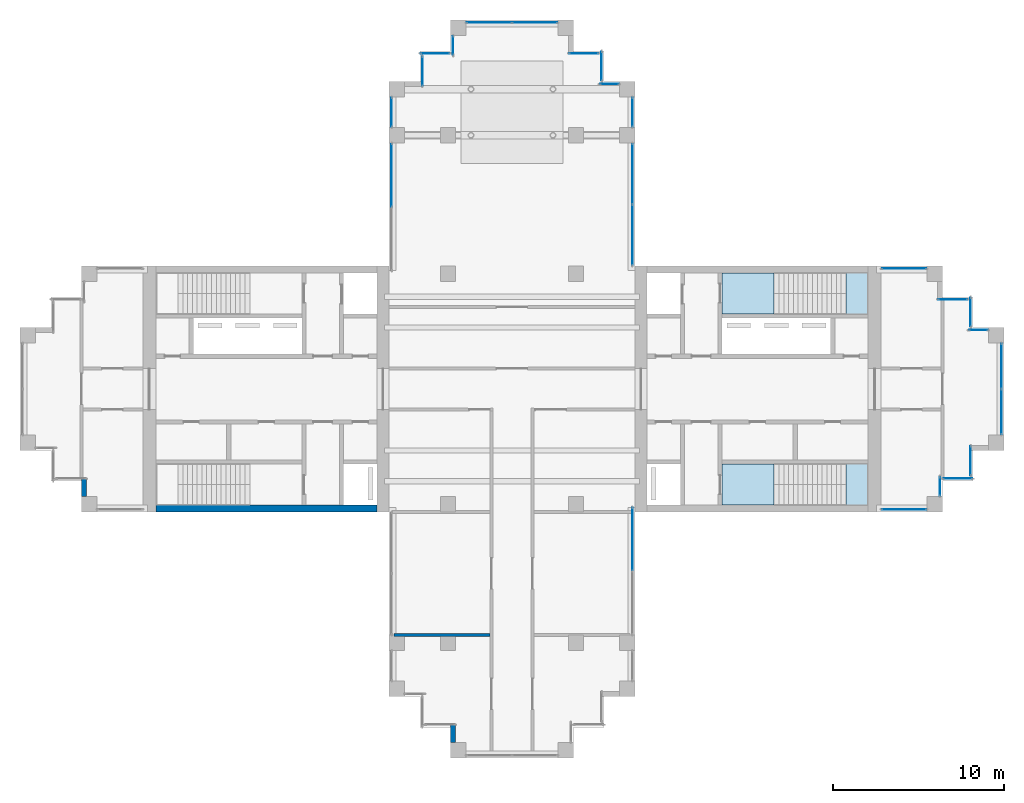
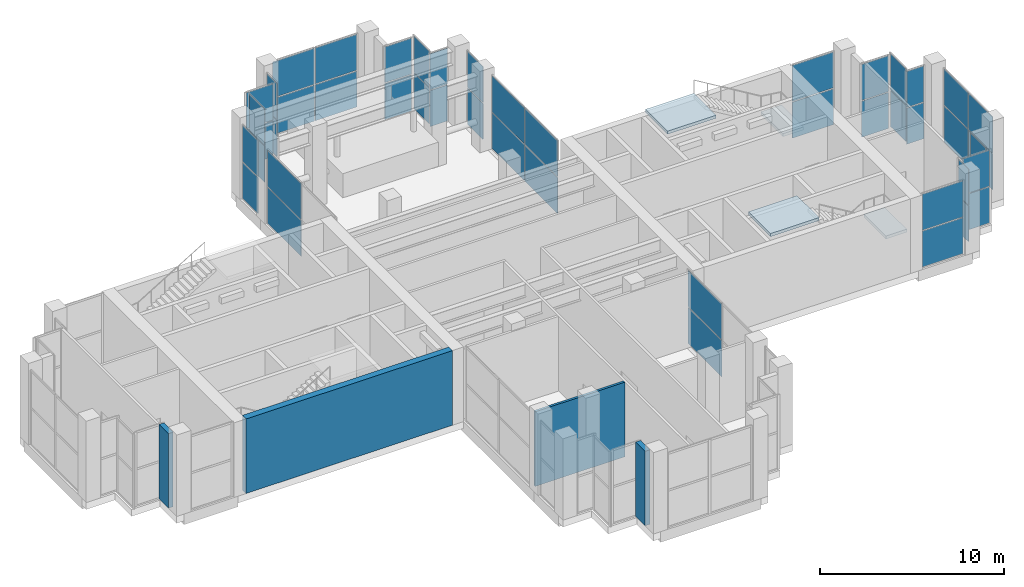
# One storey, part 9 of 13: 48 plates, 4 slabs, 4 walls, 23 elements without a shape of their own.
"""IFC4 building model written with IfcOpenShell, lengths in metres."""

from ifc_helpers import new_model, si_unit, direction, frame, frame_2d, origin, origin_2d, place, context, subcontext, project, spatial, polyline, rectangle, outline, extrude, material, layer, layer_set, type_object, element, aggregate, save


model = new_model("IFC4")

# Units and contexts
model_context = context("Model", 3, precision=1e-05, world=origin(), true_north=direction((0.0, 1.0)))
body_context = subcontext(model_context, "Body", "Model", "MODEL_VIEW")
ifc_project = project(units=[si_unit("LENGTHUNIT", "METRE"), si_unit("AREAUNIT", "SQUARE_METRE"), si_unit("VOLUMEUNIT", "CUBIC_METRE"), si_unit("PLANEANGLEUNIT", "RADIAN"), si_unit("MASSUNIT", "GRAM", prefix="KILO")], contexts=[model_context])

# Site, building, storey
site_placement = place(None, origin())
site = spatial("IfcSite", under=ifc_project, at=site_placement, CompositionType="ELEMENT")
building_placement = place(site_placement, origin())
building = spatial("IfcBuilding", under=site, at=building_placement, Name="Fustian Cross Tower", CompositionType="ELEMENT")
storey_placement = place(building_placement, frame((0.0, 0.0, 242.10009765625)))
storey = spatial("IfcBuildingStorey", under=building, at=storey_placement, Name="L76", CompositionType="ELEMENT", Elevation=242.10009765625)

# Curtain wall, plates
ifc_material_1 = material(Name="Glass", Category="glass")
curtain_wall_type = type_object("IfcCurtainWallType", Name="CW5 CURTAIN WALL", PredefinedType="NOTDEFINED", material=ifc_material_1)
curtain_wall_1_placement = place(storey_placement, origin())
curtain_wall_1 = element("IfcCurtainWall", 1, at=curtain_wall_1_placement, inside=storey, type_object=curtain_wall_type, Name="Curtain wall CW5", PredefinedType="NOTDEFINED")
ifc_material_2 = material(Name="Glass", Category="glass")
ifc_layer_1 = layer(ifc_material_2, 0.028076171875)
ifc_layer_set_1 = layer_set([ifc_layer_1], Name="Glass")
plate_type = type_object("IfcPlateType", Name="CW5 PANEL IGU28", PredefinedType="CURTAIN_PANEL", material=ifc_layer_set_1)
plate_1_placement = place(storey_placement, frame((22.949951171875, -7.050048828125, 0.06005859375), z_axis=(0.0, 0.0, 1.0), x_axis=(1.0, 0.0, 0.0)))
plate_1 = element("IfcPlate", 2, at=plate_1_placement, type_object=plate_type, Name="CW5 panel 1.1", PredefinedType="CURTAIN_PANEL", context=body_context, shape_type="SweptSolid", body=[
    extrude(rectangle(XDim=2.580078125, YDim=0.028076171875, at=origin_2d()), origin(), (0.0, 0.0, 1.0), 2.385009765625),
])
plate_2_placement = place(storey_placement, frame((22.949951171875, -7.050048828125, 2.5048828125), z_axis=(0.0, 0.0, 1.0), x_axis=(1.0, 0.0, 0.0)))
plate_2 = element("IfcPlate", 3, at=plate_2_placement, type_object=plate_type, Name="CW5 panel 1.2", PredefinedType="CURTAIN_PANEL", context=body_context, shape_type="SweptSolid", body=[
    extrude(rectangle(XDim=2.580078125, YDim=0.028076171875, at=origin_2d()), origin(), (0.0, 0.0, 1.0), 2.385009765625),
])
aggregate(curtain_wall_1, [plate_1, plate_2])

curtain_wall_2_placement = place(storey_placement, origin())
curtain_wall_2 = element("IfcCurtainWall", 4, at=curtain_wall_2_placement, inside=storey, type_object=curtain_wall_type, Name="Curtain wall CW5", PredefinedType="NOTDEFINED")
plate_3_placement = place(storey_placement, frame((25.050048828125, -5.699951171875, 0.06005859375), z_axis=(0.0, 0.0, 1.0), x_axis=(0.0, 1.0, 0.0)))
plate_3 = element("IfcPlate", 5, at=plate_3_placement, type_object=plate_type, Name="CW5 panel 1.1", PredefinedType="CURTAIN_PANEL", context=body_context, shape_type="SweptSolid", body=[
    extrude(rectangle(XDim=1.080078125, YDim=0.028076171875, at=origin_2d()), origin(), (0.0, 0.0, 1.0), 2.385009765625),
])
plate_4_placement = place(storey_placement, frame((25.050048828125, -5.699951171875, 2.5048828125), z_axis=(0.0, 0.0, 1.0), x_axis=(0.0, 1.0, 0.0)))
plate_4 = element("IfcPlate", 6, at=plate_4_placement, type_object=plate_type, Name="CW5 panel 1.2", PredefinedType="CURTAIN_PANEL", context=body_context, shape_type="SweptSolid", body=[
    extrude(rectangle(XDim=1.080078125, YDim=0.028076171875, at=origin_2d()), origin(), (0.0, 0.0, 1.0), 2.385009765625),
])
aggregate(curtain_wall_2, [plate_3, plate_4])

curtain_wall_3_placement = place(storey_placement, origin())
curtain_wall_3 = element("IfcCurtainWall", 7, at=curtain_wall_3_placement, inside=storey, type_object=curtain_wall_type, Name="Curtain wall CW5", PredefinedType="NOTDEFINED")
plate_5_placement = place(storey_placement, frame((26.10009765625, -5.25, 0.06005859375), z_axis=(0.0, 0.0, 1.0), x_axis=(1.0, 0.0, 0.0)))
plate_5 = element("IfcPlate", 8, at=plate_5_placement, type_object=plate_type, Name="CW5 panel 1.1", PredefinedType="CURTAIN_PANEL", context=body_context, shape_type="SweptSolid", body=[
    extrude(rectangle(XDim=1.679931640625, YDim=0.028076171875, at=origin_2d()), origin(), (0.0, 0.0, 1.0), 2.385009765625),
])
plate_6_placement = place(storey_placement, frame((26.10009765625, -5.25, 2.5048828125), z_axis=(0.0, 0.0, 1.0), x_axis=(1.0, 0.0, 0.0)))
plate_6 = element("IfcPlate", 9, at=plate_6_placement, type_object=plate_type, Name="CW5 panel 1.2", PredefinedType="CURTAIN_PANEL", context=body_context, shape_type="SweptSolid", body=[
    extrude(rectangle(XDim=1.679931640625, YDim=0.028076171875, at=origin_2d()), origin(), (0.0, 0.0, 1.0), 2.385009765625),
])
aggregate(curtain_wall_3, [plate_5, plate_6])

curtain_wall_4_placement = place(storey_placement, origin())
curtain_wall_4 = element("IfcCurtainWall", 10, at=curtain_wall_4_placement, inside=storey, type_object=curtain_wall_type, Name="Curtain wall CW5", PredefinedType="NOTDEFINED")
plate_7_placement = place(storey_placement, frame((26.85009765625, -4.199951171875, 0.06005859375), z_axis=(0.0, 0.0, 1.0), x_axis=(0.0, 1.0, 0.0)))
plate_7 = element("IfcPlate", 11, at=plate_7_placement, type_object=plate_type, Name="CW5 panel 1.1", PredefinedType="CURTAIN_PANEL", context=body_context, shape_type="SweptSolid", body=[
    extrude(rectangle(XDim=1.679931640625, YDim=0.028076171875, at=origin_2d()), origin(), (0.0, 0.0, 1.0), 2.385009765625),
])
plate_8_placement = place(storey_placement, frame((26.85009765625, -4.199951171875, 2.5048828125), z_axis=(0.0, 0.0, 1.0), x_axis=(0.0, 1.0, 0.0)))
plate_8 = element("IfcPlate", 12, at=plate_8_placement, type_object=plate_type, Name="CW5 panel 1.2", PredefinedType="CURTAIN_PANEL", context=body_context, shape_type="SweptSolid", body=[
    extrude(rectangle(XDim=1.679931640625, YDim=0.028076171875, at=origin_2d()), origin(), (0.0, 0.0, 1.0), 2.385009765625),
])
aggregate(curtain_wall_4, [plate_7, plate_8])

curtain_wall_5_placement = place(storey_placement, origin())
curtain_wall_5 = element("IfcCurtainWall", 13, at=curtain_wall_5_placement, inside=storey, type_object=curtain_wall_type, Name="Curtain wall CW5", PredefinedType="NOTDEFINED")
plate_9_placement = place(storey_placement, frame((28.64990234375, -1.3349609375, 0.06005859375), z_axis=(0.0, 0.0, 1.0), x_axis=(0.0, 1.0, 0.0)))
plate_9 = element("IfcPlate", 14, at=plate_9_placement, type_object=plate_type, Name="CW5 panel 1.1", PredefinedType="CURTAIN_PANEL", context=body_context, shape_type="SweptSolid", body=[
    extrude(rectangle(XDim=2.610107421875, YDim=0.028076171875, at=origin_2d()), origin(), (0.0, 0.0, 1.0), 2.385009765625),
])
plate_10_placement = place(storey_placement, frame((28.64990234375, -1.3349609375, 2.5048828125), z_axis=(0.0, 0.0, 1.0), x_axis=(0.0, 1.0, 0.0)))
plate_10 = element("IfcPlate", 15, at=plate_10_placement, type_object=plate_type, Name="CW5 panel 1.2", PredefinedType="CURTAIN_PANEL", context=body_context, shape_type="SweptSolid", body=[
    extrude(rectangle(XDim=2.610107421875, YDim=0.028076171875, at=origin_2d()), origin(), (0.0, 0.0, 1.0), 2.385009765625),
])
plate_11_placement = place(storey_placement, frame((28.64990234375, 1.3349609375, 0.06005859375), z_axis=(0.0, 0.0, 1.0), x_axis=(0.0, 1.0, 0.0)))
plate_11 = element("IfcPlate", 16, at=plate_11_placement, type_object=plate_type, Name="CW5 panel 2.1", PredefinedType="CURTAIN_PANEL", context=body_context, shape_type="SweptSolid", body=[
    extrude(rectangle(XDim=2.610107421875, YDim=0.028076171875, at=origin_2d()), origin(), (0.0, 0.0, 1.0), 2.385009765625),
])
plate_12_placement = place(storey_placement, frame((28.64990234375, 1.3349609375, 2.5048828125), z_axis=(0.0, 0.0, 1.0), x_axis=(0.0, 1.0, 0.0)))
plate_12 = element("IfcPlate", 17, at=plate_12_placement, type_object=plate_type, Name="CW5 panel 2.2", PredefinedType="CURTAIN_PANEL", context=body_context, shape_type="SweptSolid", body=[
    extrude(rectangle(XDim=2.610107421875, YDim=0.028076171875, at=origin_2d()), origin(), (0.0, 0.0, 1.0), 2.385009765625),
])
aggregate(curtain_wall_5, [plate_9, plate_10, plate_11, plate_12])

curtain_wall_6_placement = place(storey_placement, origin())
curtain_wall_6 = element("IfcCurtainWall", 18, at=curtain_wall_6_placement, inside=storey, type_object=curtain_wall_type, Name="Curtain wall CW5", PredefinedType="NOTDEFINED")
plate_13_placement = place(storey_placement, frame((27.300048828125, 3.449951171875, 0.06005859375), z_axis=(0.0, 0.0, 1.0), x_axis=(-1.0, 0.0, 0.0)))
plate_13 = element("IfcPlate", 19, at=plate_13_placement, type_object=plate_type, Name="CW5 panel 1.1", PredefinedType="CURTAIN_PANEL", context=body_context, shape_type="SweptSolid", body=[
    extrude(rectangle(XDim=1.080078125, YDim=0.028076171875, at=origin_2d()), origin(), (0.0, 0.0, 1.0), 2.385009765625),
])
plate_14_placement = place(storey_placement, frame((27.300048828125, 3.449951171875, 2.5048828125), z_axis=(0.0, 0.0, 1.0), x_axis=(-1.0, 0.0, 0.0)))
plate_14 = element("IfcPlate", 20, at=plate_14_placement, type_object=plate_type, Name="CW5 panel 1.2", PredefinedType="CURTAIN_PANEL", context=body_context, shape_type="SweptSolid", body=[
    extrude(rectangle(XDim=1.080078125, YDim=0.028076171875, at=origin_2d()), origin(), (0.0, 0.0, 1.0), 2.385009765625),
])
aggregate(curtain_wall_6, [plate_13, plate_14])

curtain_wall_7_placement = place(storey_placement, origin())
curtain_wall_7 = element("IfcCurtainWall", 21, at=curtain_wall_7_placement, inside=storey, type_object=curtain_wall_type, Name="Curtain wall CW5", PredefinedType="NOTDEFINED")
plate_15_placement = place(storey_placement, frame((26.85009765625, 4.5, 0.06005859375), z_axis=(0.0, 0.0, 1.0), x_axis=(0.0, 1.0, 0.0)))
plate_15 = element("IfcPlate", 22, at=plate_15_placement, type_object=plate_type, Name="CW5 panel 1.1", PredefinedType="CURTAIN_PANEL", context=body_context, shape_type="SweptSolid", body=[
    extrude(rectangle(XDim=1.679931640625, YDim=0.028076171875, at=origin_2d()), origin(), (0.0, 0.0, 1.0), 2.385009765625),
])
plate_16_placement = place(storey_placement, frame((26.85009765625, 4.5, 2.5048828125), z_axis=(0.0, 0.0, 1.0), x_axis=(0.0, 1.0, 0.0)))
plate_16 = element("IfcPlate", 23, at=plate_16_placement, type_object=plate_type, Name="CW5 panel 1.2", PredefinedType="CURTAIN_PANEL", context=body_context, shape_type="SweptSolid", body=[
    extrude(rectangle(XDim=1.679931640625, YDim=0.028076171875, at=origin_2d()), origin(), (0.0, 0.0, 1.0), 2.385009765625),
])
aggregate(curtain_wall_7, [plate_15, plate_16])

curtain_wall_8_placement = place(storey_placement, origin())
curtain_wall_8 = element("IfcCurtainWall", 24, at=curtain_wall_8_placement, inside=storey, type_object=curtain_wall_type, Name="Curtain wall CW5", PredefinedType="NOTDEFINED")
plate_17_placement = place(storey_placement, frame((25.800048828125, 5.25, 0.06005859375), z_axis=(0.0, 0.0, 1.0), x_axis=(-1.0, 0.0, 0.0)))
plate_17 = element("IfcPlate", 25, at=plate_17_placement, type_object=plate_type, Name="CW5 panel 1.1", PredefinedType="CURTAIN_PANEL", context=body_context, shape_type="SweptSolid", body=[
    extrude(rectangle(XDim=1.679931640625, YDim=0.028076171875, at=origin_2d()), origin(), (0.0, 0.0, 1.0), 2.385009765625),
])
plate_18_placement = place(storey_placement, frame((25.800048828125, 5.25, 2.5048828125), z_axis=(0.0, 0.0, 1.0), x_axis=(-1.0, 0.0, 0.0)))
plate_18 = element("IfcPlate", 26, at=plate_18_placement, type_object=plate_type, Name="CW5 panel 1.2", PredefinedType="CURTAIN_PANEL", context=body_context, shape_type="SweptSolid", body=[
    extrude(rectangle(XDim=1.679931640625, YDim=0.028076171875, at=origin_2d()), origin(), (0.0, 0.0, 1.0), 2.385009765625),
])
aggregate(curtain_wall_8, [plate_17, plate_18])

curtain_wall_9_placement = place(storey_placement, origin())
curtain_wall_9 = element("IfcCurtainWall", 27, at=curtain_wall_9_placement, inside=storey, type_object=curtain_wall_type, Name="Curtain wall CW5", PredefinedType="NOTDEFINED")
plate_19_placement = place(storey_placement, frame((22.949951171875, 7.050048828125, 0.06005859375), z_axis=(0.0, 0.0, 1.0), x_axis=(-1.0, 0.0, 0.0)))
plate_19 = element("IfcPlate", 28, at=plate_19_placement, type_object=plate_type, Name="CW5 panel 1.1", PredefinedType="CURTAIN_PANEL", context=body_context, shape_type="SweptSolid", body=[
    extrude(rectangle(XDim=2.580078125, YDim=0.028076171875, at=origin_2d()), origin(), (0.0, 0.0, 1.0), 2.385009765625),
])
plate_20_placement = place(storey_placement, frame((22.949951171875, 7.050048828125, 2.5048828125), z_axis=(0.0, 0.0, 1.0), x_axis=(-1.0, 0.0, 0.0)))
plate_20 = element("IfcPlate", 29, at=plate_20_placement, type_object=plate_type, Name="CW5 panel 1.2", PredefinedType="CURTAIN_PANEL", context=body_context, shape_type="SweptSolid", body=[
    extrude(rectangle(XDim=2.580078125, YDim=0.028076171875, at=origin_2d()), origin(), (0.0, 0.0, 1.0), 2.385009765625),
])
aggregate(curtain_wall_9, [plate_19, plate_20])

curtain_wall_10_placement = place(storey_placement, origin())
curtain_wall_10 = element("IfcCurtainWall", 30, at=curtain_wall_10_placement, inside=storey, type_object=curtain_wall_type, Name="Curtain wall CW5", PredefinedType="NOTDEFINED")
plate_21_placement = place(storey_placement, frame((7.050048828125, 9.014892578125, 0.06005859375), z_axis=(0.0, 0.0, 1.0), x_axis=(0.0, 1.0, 0.0)))
plate_21 = element("IfcPlate", 31, at=plate_21_placement, type_object=plate_type, Name="CW5 panel 1.1", PredefinedType="CURTAIN_PANEL", context=body_context, shape_type="SweptSolid", body=[
    extrude(rectangle(XDim=3.510009765625, YDim=0.028076171875, at=origin_2d()), origin(), (0.0, 0.0, 1.0), 2.385009765625),
])
plate_22_placement = place(storey_placement, frame((7.050048828125, 9.014892578125, 2.5048828125), z_axis=(0.0, 0.0, 1.0), x_axis=(0.0, 1.0, 0.0)))
plate_22 = element("IfcPlate", 32, at=plate_22_placement, type_object=plate_type, Name="CW5 panel 1.2", PredefinedType="CURTAIN_PANEL", context=body_context, shape_type="SweptSolid", body=[
    extrude(rectangle(XDim=3.510009765625, YDim=0.028076171875, at=origin_2d()), origin(), (0.0, 0.0, 1.0), 2.385009765625),
])
plate_23_placement = place(storey_placement, frame((7.050048828125, 12.5849609375, 0.06005859375), z_axis=(0.0, 0.0, 1.0), x_axis=(0.0, 1.0, 0.0)))
plate_23 = element("IfcPlate", 33, at=plate_23_placement, type_object=plate_type, Name="CW5 panel 2.1", PredefinedType="CURTAIN_PANEL", context=body_context, shape_type="SweptSolid", body=[
    extrude(rectangle(XDim=3.510009765625, YDim=0.028076171875, at=origin_2d()), origin(), (0.0, 0.0, 1.0), 2.385009765625),
])
plate_24_placement = place(storey_placement, frame((7.050048828125, 12.5849609375, 2.5048828125), z_axis=(0.0, 0.0, 1.0), x_axis=(0.0, 1.0, 0.0)))
plate_24 = element("IfcPlate", 34, at=plate_24_placement, type_object=plate_type, Name="CW5 panel 2.2", PredefinedType="CURTAIN_PANEL", context=body_context, shape_type="SweptSolid", body=[
    extrude(rectangle(XDim=3.510009765625, YDim=0.028076171875, at=origin_2d()), origin(), (0.0, 0.0, 1.0), 2.385009765625),
])
aggregate(curtain_wall_10, [plate_21, plate_22, plate_23, plate_24])

curtain_wall_11_placement = place(storey_placement, origin())
curtain_wall_11 = element("IfcCurtainWall", 35, at=curtain_wall_11_placement, inside=storey, type_object=curtain_wall_type, Name="Curtain wall CW5", PredefinedType="NOTDEFINED")
plate_25_placement = place(storey_placement, frame((7.050048828125, 16.199951171875, 0.06005859375), z_axis=(0.0, 0.0, 1.0), x_axis=(0.0, 1.0, 0.0)))
plate_25 = element("IfcPlate", 36, at=plate_25_placement, type_object=plate_type, Name="CW5 panel 1.1", PredefinedType="CURTAIN_PANEL", context=body_context, shape_type="SweptSolid", body=[
    extrude(rectangle(XDim=1.679931640625, YDim=0.028076171875, at=origin_2d()), origin(), (0.0, 0.0, 1.0), 2.385009765625),
])
plate_26_placement = place(storey_placement, frame((7.050048828125, 16.199951171875, 2.5048828125), z_axis=(0.0, 0.0, 1.0), x_axis=(0.0, 1.0, 0.0)))
plate_26 = element("IfcPlate", 37, at=plate_26_placement, type_object=plate_type, Name="CW5 panel 1.2", PredefinedType="CURTAIN_PANEL", context=body_context, shape_type="SweptSolid", body=[
    extrude(rectangle(XDim=1.679931640625, YDim=0.028076171875, at=origin_2d()), origin(), (0.0, 0.0, 1.0), 2.385009765625),
])
aggregate(curtain_wall_11, [plate_25, plate_26])

curtain_wall_12_placement = place(storey_placement, origin())
curtain_wall_12 = element("IfcCurtainWall", 38, at=curtain_wall_12_placement, inside=storey, type_object=curtain_wall_type, Name="Curtain wall CW5", PredefinedType="NOTDEFINED")
plate_27_placement = place(storey_placement, frame((5.699951171875, 17.85009765625, 0.06005859375), z_axis=(0.0, 0.0, 1.0), x_axis=(-1.0, 0.0, 0.0)))
plate_27 = element("IfcPlate", 39, at=plate_27_placement, type_object=plate_type, Name="CW5 panel 1.1", PredefinedType="CURTAIN_PANEL", context=body_context, shape_type="SweptSolid", body=[
    extrude(rectangle(XDim=1.080078125, YDim=0.028076171875, at=origin_2d()), origin(), (0.0, 0.0, 1.0), 2.385009765625),
])
plate_28_placement = place(storey_placement, frame((5.699951171875, 17.85009765625, 2.5048828125), z_axis=(0.0, 0.0, 1.0), x_axis=(-1.0, 0.0, 0.0)))
plate_28 = element("IfcPlate", 40, at=plate_28_placement, type_object=plate_type, Name="CW5 panel 1.2", PredefinedType="CURTAIN_PANEL", context=body_context, shape_type="SweptSolid", body=[
    extrude(rectangle(XDim=1.080078125, YDim=0.028076171875, at=origin_2d()), origin(), (0.0, 0.0, 1.0), 2.385009765625),
])
aggregate(curtain_wall_12, [plate_27, plate_28])

curtain_wall_13_placement = place(storey_placement, origin())
curtain_wall_13 = element("IfcCurtainWall", 41, at=curtain_wall_13_placement, inside=storey, type_object=curtain_wall_type, Name="Curtain wall CW5", PredefinedType="NOTDEFINED")
plate_29_placement = place(storey_placement, frame((5.25, 18.89990234375, 0.06005859375), z_axis=(0.0, 0.0, 1.0), x_axis=(0.0, 1.0, 0.0)))
plate_29 = element("IfcPlate", 42, at=plate_29_placement, type_object=plate_type, Name="CW5 panel 1.1", PredefinedType="CURTAIN_PANEL", context=body_context, shape_type="SweptSolid", body=[
    extrude(rectangle(XDim=1.679931640625, YDim=0.028076171875, at=origin_2d()), origin(), (0.0, 0.0, 1.0), 2.385009765625),
])
plate_30_placement = place(storey_placement, frame((5.25, 18.89990234375, 2.5048828125), z_axis=(0.0, 0.0, 1.0), x_axis=(0.0, 1.0, 0.0)))
plate_30 = element("IfcPlate", 43, at=plate_30_placement, type_object=plate_type, Name="CW5 panel 1.2", PredefinedType="CURTAIN_PANEL", context=body_context, shape_type="SweptSolid", body=[
    extrude(rectangle(XDim=1.679931640625, YDim=0.028076171875, at=origin_2d()), origin(), (0.0, 0.0, 1.0), 2.385009765625),
])
aggregate(curtain_wall_13, [plate_29, plate_30])

curtain_wall_14_placement = place(storey_placement, origin())
curtain_wall_14 = element("IfcCurtainWall", 44, at=curtain_wall_14_placement, inside=storey, type_object=curtain_wall_type, Name="Curtain wall CW5", PredefinedType="NOTDEFINED")
plate_31_placement = place(storey_placement, frame((4.199951171875, 19.64990234375, 0.06005859375), z_axis=(0.0, 0.0, 1.0), x_axis=(-1.0, 0.0, 0.0)))
plate_31 = element("IfcPlate", 45, at=plate_31_placement, type_object=plate_type, Name="CW5 panel 1.1", PredefinedType="CURTAIN_PANEL", context=body_context, shape_type="SweptSolid", body=[
    extrude(rectangle(XDim=1.679931640625, YDim=0.028076171875, at=origin_2d()), origin(), (0.0, 0.0, 1.0), 2.385009765625),
])
plate_32_placement = place(storey_placement, frame((4.199951171875, 19.64990234375, 2.5048828125), z_axis=(0.0, 0.0, 1.0), x_axis=(-1.0, 0.0, 0.0)))
plate_32 = element("IfcPlate", 46, at=plate_32_placement, type_object=plate_type, Name="CW5 panel 1.2", PredefinedType="CURTAIN_PANEL", context=body_context, shape_type="SweptSolid", body=[
    extrude(rectangle(XDim=1.679931640625, YDim=0.028076171875, at=origin_2d()), origin(), (0.0, 0.0, 1.0), 2.385009765625),
])
aggregate(curtain_wall_14, [plate_31, plate_32])

curtain_wall_15_placement = place(storey_placement, origin())
curtain_wall_15 = element("IfcCurtainWall", 47, at=curtain_wall_15_placement, inside=storey, type_object=curtain_wall_type, Name="Curtain wall CW5", PredefinedType="NOTDEFINED")
plate_33_placement = place(storey_placement, frame((1.3349609375, 21.449951171875, 0.06005859375), z_axis=(0.0, 0.0, 1.0), x_axis=(-1.0, 0.0, 0.0)))
plate_33 = element("IfcPlate", 48, at=plate_33_placement, type_object=plate_type, Name="CW5 panel 1.1", PredefinedType="CURTAIN_PANEL", context=body_context, shape_type="SweptSolid", body=[
    extrude(rectangle(XDim=2.610107421875, YDim=0.028076171875, at=origin_2d()), origin(), (0.0, 0.0, 1.0), 2.385009765625),
])
plate_34_placement = place(storey_placement, frame((1.3349609375, 21.449951171875, 2.5048828125), z_axis=(0.0, 0.0, 1.0), x_axis=(-1.0, 0.0, 0.0)))
plate_34 = element("IfcPlate", 49, at=plate_34_placement, type_object=plate_type, Name="CW5 panel 1.2", PredefinedType="CURTAIN_PANEL", context=body_context, shape_type="SweptSolid", body=[
    extrude(rectangle(XDim=2.610107421875, YDim=0.028076171875, at=origin_2d()), origin(), (0.0, 0.0, 1.0), 2.385009765625),
])
plate_35_placement = place(storey_placement, frame((-1.3349609375, 21.449951171875, 0.06005859375), z_axis=(0.0, 0.0, 1.0), x_axis=(-1.0, 0.0, 0.0)))
plate_35 = element("IfcPlate", 50, at=plate_35_placement, type_object=plate_type, Name="CW5 panel 2.1", PredefinedType="CURTAIN_PANEL", context=body_context, shape_type="SweptSolid", body=[
    extrude(rectangle(XDim=2.610107421875, YDim=0.028076171875, at=origin_2d()), origin(), (0.0, 0.0, 1.0), 2.385009765625),
])
plate_36_placement = place(storey_placement, frame((-1.3349609375, 21.449951171875, 2.5048828125), z_axis=(0.0, 0.0, 1.0), x_axis=(-1.0, 0.0, 0.0)))
plate_36 = element("IfcPlate", 51, at=plate_36_placement, type_object=plate_type, Name="CW5 panel 2.2", PredefinedType="CURTAIN_PANEL", context=body_context, shape_type="SweptSolid", body=[
    extrude(rectangle(XDim=2.610107421875, YDim=0.028076171875, at=origin_2d()), origin(), (0.0, 0.0, 1.0), 2.385009765625),
])
aggregate(curtain_wall_15, [plate_33, plate_34, plate_35, plate_36])

curtain_wall_16_placement = place(storey_placement, origin())
curtain_wall_16 = element("IfcCurtainWall", 52, at=curtain_wall_16_placement, inside=storey, type_object=curtain_wall_type, Name="Curtain wall CW5", PredefinedType="NOTDEFINED")
plate_37_placement = place(storey_placement, frame((-3.449951171875, 20.10009765625, 0.06005859375), z_axis=(0.0, 0.0, 1.0), x_axis=(0.0, -1.0, 0.0)))
plate_37 = element("IfcPlate", 53, at=plate_37_placement, type_object=plate_type, Name="CW5 panel 1.1", PredefinedType="CURTAIN_PANEL", context=body_context, shape_type="SweptSolid", body=[
    extrude(rectangle(XDim=1.080078125, YDim=0.028076171875, at=origin_2d()), origin(), (0.0, 0.0, 1.0), 2.385009765625),
])
plate_38_placement = place(storey_placement, frame((-3.449951171875, 20.10009765625, 2.5048828125), z_axis=(0.0, 0.0, 1.0), x_axis=(0.0, -1.0, 0.0)))
plate_38 = element("IfcPlate", 54, at=plate_38_placement, type_object=plate_type, Name="CW5 panel 1.2", PredefinedType="CURTAIN_PANEL", context=body_context, shape_type="SweptSolid", body=[
    extrude(rectangle(XDim=1.080078125, YDim=0.028076171875, at=origin_2d()), origin(), (0.0, 0.0, 1.0), 2.385009765625),
])
aggregate(curtain_wall_16, [plate_37, plate_38])

curtain_wall_17_placement = place(storey_placement, origin())
curtain_wall_17 = element("IfcCurtainWall", 55, at=curtain_wall_17_placement, inside=storey, type_object=curtain_wall_type, Name="Curtain wall CW5", PredefinedType="NOTDEFINED")
plate_39_placement = place(storey_placement, frame((-4.5, 19.64990234375, 0.06005859375), z_axis=(0.0, 0.0, 1.0), x_axis=(-1.0, 0.0, 0.0)))
plate_39 = element("IfcPlate", 56, at=plate_39_placement, type_object=plate_type, Name="CW5 panel 1.1", PredefinedType="CURTAIN_PANEL", context=body_context, shape_type="SweptSolid", body=[
    extrude(rectangle(XDim=1.679931640625, YDim=0.028076171875, at=origin_2d()), origin(), (0.0, 0.0, 1.0), 2.385009765625),
])
plate_40_placement = place(storey_placement, frame((-4.5, 19.64990234375, 2.5048828125), z_axis=(0.0, 0.0, 1.0), x_axis=(-1.0, 0.0, 0.0)))
plate_40 = element("IfcPlate", 57, at=plate_40_placement, type_object=plate_type, Name="CW5 panel 1.2", PredefinedType="CURTAIN_PANEL", context=body_context, shape_type="SweptSolid", body=[
    extrude(rectangle(XDim=1.679931640625, YDim=0.028076171875, at=origin_2d()), origin(), (0.0, 0.0, 1.0), 2.385009765625),
])
aggregate(curtain_wall_17, [plate_39, plate_40])

curtain_wall_18_placement = place(storey_placement, origin())
curtain_wall_18 = element("IfcCurtainWall", 58, at=curtain_wall_18_placement, inside=storey, type_object=curtain_wall_type, Name="Curtain wall CW5", PredefinedType="NOTDEFINED")
plate_41_placement = place(storey_placement, frame((-5.25, 18.60009765625, 0.06005859375), z_axis=(0.0, 0.0, 1.0), x_axis=(0.0, -1.0, 0.0)))
plate_41 = element("IfcPlate", 59, at=plate_41_placement, type_object=plate_type, Name="CW5 panel 1.1", PredefinedType="CURTAIN_PANEL", context=body_context, shape_type="SweptSolid", body=[
    extrude(rectangle(XDim=1.679931640625, YDim=0.028076171875, at=origin_2d()), origin(), (0.0, 0.0, 1.0), 2.385009765625),
])
plate_42_placement = place(storey_placement, frame((-5.25, 18.60009765625, 2.5048828125), z_axis=(0.0, 0.0, 1.0), x_axis=(0.0, -1.0, 0.0)))
plate_42 = element("IfcPlate", 60, at=plate_42_placement, type_object=plate_type, Name="CW5 panel 1.2", PredefinedType="CURTAIN_PANEL", context=body_context, shape_type="SweptSolid", body=[
    extrude(rectangle(XDim=1.679931640625, YDim=0.028076171875, at=origin_2d()), origin(), (0.0, 0.0, 1.0), 2.385009765625),
])
aggregate(curtain_wall_18, [plate_41, plate_42])

curtain_wall_19_placement = place(storey_placement, origin())
curtain_wall_19 = element("IfcCurtainWall", 61, at=curtain_wall_19_placement, inside=storey, type_object=curtain_wall_type, Name="Curtain wall CW5", PredefinedType="NOTDEFINED")
plate_43_placement = place(storey_placement, frame((-7.050048828125, 16.199951171875, 0.06005859375), z_axis=(0.0, 0.0, 1.0), x_axis=(0.0, -1.0, 0.0)))
plate_43 = element("IfcPlate", 62, at=plate_43_placement, type_object=plate_type, Name="CW5 panel 1.1", PredefinedType="CURTAIN_PANEL", context=body_context, shape_type="SweptSolid", body=[
    extrude(rectangle(XDim=1.679931640625, YDim=0.028076171875, at=origin_2d()), origin(), (0.0, 0.0, 1.0), 2.385009765625),
])
plate_44_placement = place(storey_placement, frame((-7.050048828125, 16.199951171875, 2.5048828125), z_axis=(0.0, 0.0, 1.0), x_axis=(0.0, -1.0, 0.0)))
plate_44 = element("IfcPlate", 63, at=plate_44_placement, type_object=plate_type, Name="CW5 panel 1.2", PredefinedType="CURTAIN_PANEL", context=body_context, shape_type="SweptSolid", body=[
    extrude(rectangle(XDim=1.679931640625, YDim=0.028076171875, at=origin_2d()), origin(), (0.0, 0.0, 1.0), 2.385009765625),
])
aggregate(curtain_wall_19, [plate_43, plate_44])

curtain_wall_20_placement = place(storey_placement, origin())
curtain_wall_20 = element("IfcCurtainWall", 64, at=curtain_wall_20_placement, inside=storey, type_object=curtain_wall_type, Name="Curtain wall CW5", PredefinedType="NOTDEFINED")
plate_45_placement = place(storey_placement, frame((-7.050048828125, 12.510009765625, 0.06005859375), z_axis=(0.0, 0.0, 1.0), x_axis=(0.0, -1.0, 0.0)))
plate_45 = element("IfcPlate", 65, at=plate_45_placement, type_object=plate_type, Name="CW5 panel 1.1", PredefinedType="CURTAIN_PANEL", context=body_context, shape_type="SweptSolid", body=[
    extrude(rectangle(XDim=3.659912109375, YDim=0.028076171875, at=origin_2d()), origin(), (0.0, 0.0, 1.0), 2.385009765625),
])
plate_46_placement = place(storey_placement, frame((-7.050048828125, 12.510009765625, 2.5048828125), z_axis=(0.0, 0.0, 1.0), x_axis=(0.0, -1.0, 0.0)))
plate_46 = element("IfcPlate", 66, at=plate_46_placement, type_object=plate_type, Name="CW5 panel 1.2", PredefinedType="CURTAIN_PANEL", context=body_context, shape_type="SweptSolid", body=[
    extrude(rectangle(XDim=3.659912109375, YDim=0.028076171875, at=origin_2d()), origin(), (0.0, 0.0, 1.0), 2.385009765625),
])
aggregate(curtain_wall_20, [plate_45, plate_46])

curtain_wall_21_placement = place(storey_placement, origin())
curtain_wall_21 = element("IfcCurtainWall", 67, at=curtain_wall_21_placement, inside=storey, type_object=curtain_wall_type, Name="Curtain wall CW5", PredefinedType="NOTDEFINED")
plate_47_placement = place(storey_placement, frame((7.050048828125, -8.7900390625, 0.06005859375), z_axis=(0.0, 0.0, 1.0), x_axis=(0.0, 1.0, 0.0)))
plate_47 = element("IfcPlate", 68, at=plate_47_placement, type_object=plate_type, Name="CW5 panel 2.1", PredefinedType="CURTAIN_PANEL", context=body_context, shape_type="SweptSolid", body=[
    extrude(rectangle(XDim=3.659912109375, YDim=0.028076171875, at=origin_2d()), origin(), (0.0, 0.0, 1.0), 2.385009765625),
])
plate_48_placement = place(storey_placement, frame((7.050048828125, -8.7900390625, 2.5048828125), z_axis=(0.0, 0.0, 1.0), x_axis=(0.0, 1.0, 0.0)))
plate_48 = element("IfcPlate", 69, at=plate_48_placement, type_object=plate_type, Name="CW5 panel 2.2", PredefinedType="CURTAIN_PANEL", context=body_context, shape_type="SweptSolid", body=[
    extrude(rectangle(XDim=3.659912109375, YDim=0.028076171875, at=origin_2d()), origin(), (0.0, 0.0, 1.0), 2.385009765625),
])
aggregate(curtain_wall_21, [plate_47, plate_48])

# Stair, slabs
ifc_material_3 = material(Name="Concrete C50/60", Category="concrete")
stair_type = type_object("IfcStairType", Name="STAIR 1200 HALF TURN", PredefinedType="HALF_TURN_STAIR", material=ifc_material_3)
stair_1_placement = place(storey_placement, origin())
stair_1 = element("IfcStair", 70, at=stair_1_placement, inside=storey, type_object=stair_type, Name="Stair ST1", PredefinedType="HALF_TURN_STAIR")
ifc_material_4 = material(Name="Concrete C50/60", Category="concrete")
ifc_layer_2 = layer(ifc_material_4, 0.199951171875)
ifc_layer_set_2 = layer_set([ifc_layer_2], Name="Concrete C50/60")
slab_type = type_object("IfcSlabType", Name="STAIR LANDING", PredefinedType="LANDING", material=ifc_layer_set_2)
slab_1_placement = place(storey_placement, frame((0.0, 0.0, 2.5)))
slab_1 = element("IfcSlab", 71, at=slab_1_placement, type_object=slab_type, Name="ST1 landing 1", PredefinedType="LANDING", context=body_context, shape_type="SweptSolid", body=[
    extrude(outline(polyline([(19.550048828125, 4.39990234375), (20.85009765625, 4.39990234375), (20.85009765625, 6.800048828125), (19.550048828125, 6.800048828125), (19.550048828125, 4.39990234375)])), origin(), (0.0, 0.0, 1.0), 0.199951171875),
])
slab_2_placement = place(storey_placement, frame((0.0, 0.0, 5.199951171875)))
slab_2 = element("IfcSlab", 72, at=slab_2_placement, type_object=slab_type, Name="ST1 landing 2", PredefinedType="LANDING", context=body_context, shape_type="SweptSolid", body=[
    extrude(outline(polyline([(12.300048828125, 4.39990234375), (15.35009765625, 4.39990234375), (15.35009765625, 6.800048828125), (12.300048828125, 6.800048828125), (12.300048828125, 4.39990234375)])), origin(), (0.0, 0.0, 1.0), 0.199951171875),
])
aggregate(stair_1, [slab_1, slab_2])

stair_2_placement = place(storey_placement, origin())
stair_2 = element("IfcStair", 73, at=stair_2_placement, inside=storey, type_object=stair_type, Name="Stair ST2", PredefinedType="HALF_TURN_STAIR")
slab_3_placement = place(storey_placement, frame((0.0, 0.0, 2.5)))
slab_3 = element("IfcSlab", 74, at=slab_3_placement, type_object=slab_type, Name="ST2 landing 1", PredefinedType="LANDING", context=body_context, shape_type="SweptSolid", body=[
    extrude(outline(polyline([(19.550048828125, -4.39990234375), (20.85009765625, -4.39990234375), (20.85009765625, -6.800048828125), (19.550048828125, -6.800048828125), (19.550048828125, -4.39990234375)])), origin(), (0.0, 0.0, 1.0), 0.199951171875),
])
slab_4_placement = place(storey_placement, frame((0.0, 0.0, 5.199951171875)))
slab_4 = element("IfcSlab", 75, at=slab_4_placement, type_object=slab_type, Name="ST2 landing 2", PredefinedType="LANDING", context=body_context, shape_type="SweptSolid", body=[
    extrude(outline(polyline([(12.300048828125, -4.39990234375), (15.35009765625, -4.39990234375), (15.35009765625, -6.800048828125), (12.300048828125, -6.800048828125), (12.300048828125, -4.39990234375)])), origin(), (0.0, 0.0, 1.0), 0.199951171875),
])
aggregate(stair_2, [slab_3, slab_4])

# Walls
ifc_material_5 = material(Name="Plasterboard on steel stud", Category="steel")
ifc_layer_3 = layer(ifc_material_5, 0.14990234375)
ifc_layer_set_3 = layer_set([ifc_layer_3], Name="Plasterboard on steel stud")
wall_type_1 = type_object("IfcWallType", Name="COMPARTMENT WALL 150 EI 60", PredefinedType="PARTITIONING", material=ifc_layer_set_3)
wall_1_placement = place(storey_placement, frame((-6.89990234375, -14.39990234375, 0.0), z_axis=(0.0, 0.0, 1.0), x_axis=(1.0, 0.0, 0.0)))
element("IfcWall", 76, at=wall_1_placement, inside=storey, type_object=wall_type_1, Name="Partition 7", PredefinedType="PARTITIONING", context=body_context, shape_type="SweptSolid", body=[
    extrude(rectangle(XDim=5.625, YDim=0.14990234375, at=frame_2d((2.8125, 0.0))), origin(), (0.0, 0.0, 1.0), 4.949951171875),
])
ifc_material_6 = material(Name="Concrete C50/60", Category="concrete")
ifc_layer_4 = layer(ifc_material_6, 0.39990234375)
ifc_layer_set_4 = layer_set([ifc_layer_4], Name="Concrete C50/60")
wall_type_2 = type_object("IfcWallType", Name="CORE FACADE WALL 400 C50/60", PredefinedType="SHEAR", material=ifc_layer_set_4)
wall_2_placement = place(storey_placement, frame((-7.89990234375, -7.0, 0.0), z_axis=(0.0, 0.0, 1.0), x_axis=(-1.0, 0.0, 0.0)))
element("IfcWall", 77, at=wall_2_placement, inside=storey, type_object=wall_type_2, Name="Core facade wall", PredefinedType="SHEAR", context=body_context, shape_type="SweptSolid", body=[
    extrude(rectangle(XDim=12.9501953125, YDim=0.39990234375, at=frame_2d((6.47509765625, 0.0))), origin(), (0.0, 0.0, 1.0), 4.949951171875),
])
ifc_material_7 = material(Name="Dark rainscreen cladding on blockwork", Category="masonry")
ifc_layer_5 = layer(ifc_material_7, 0.300048828125)
ifc_layer_set_5 = layer_set([ifc_layer_5], Name="Dark rainscreen cladding on blockwork")
wall_type_3 = type_object("IfcWallType", Name="EXTERNAL WALL 300 CLADDING", PredefinedType="SOLIDWALL", material=ifc_layer_set_5)
for number, where, z_axis, x_axis, name in (
    (78, (-25.050048828125, -5.280029296875, 0.0), (0.0, 0.0, 1.0), (0.0, -1.0, 0.0), "Damper floor wall W340"),
    (79, (-3.449951171875, -19.679931640625, 0.0), (0.0, 0.0, 1.0), (0.0, -1.0, 0.0), "Damper floor wall S410"),
):
    element("IfcWall", number, at=place(storey_placement, frame(where, z_axis=z_axis, x_axis=x_axis)), inside=storey, type_object=wall_type_3, Name=name, PredefinedType="SOLIDWALL", context=body_context, shape_type="SweptSolid", body=[
        extrude(rectangle(XDim=1.02001953125, YDim=0.300048828125, at=frame_2d((0.510009765625, 0.0))), origin(), (0.0, 0.0, 1.0), 4.949951171875),
    ])

save(model, "model.ifc")
